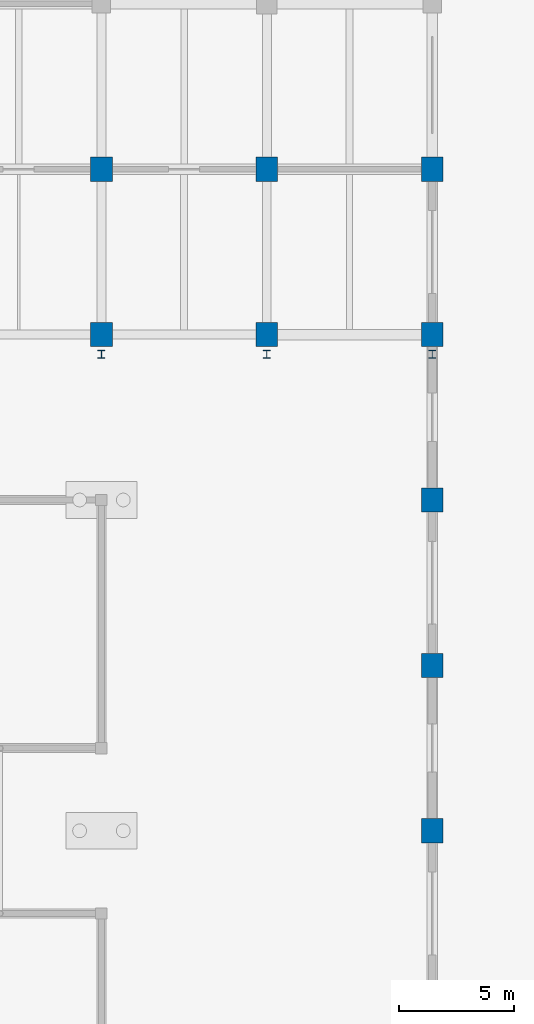
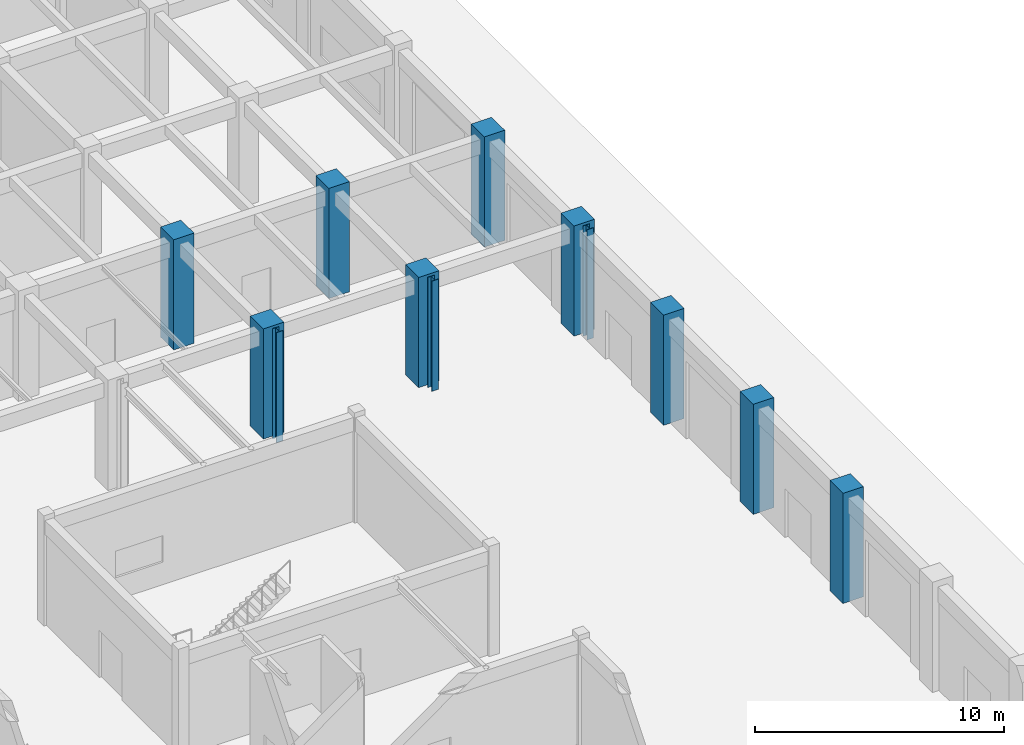
# One storey, part 13 of 160: 12 columns.
"""IFC4 building model written with IfcOpenShell, lengths in metres."""

from ifc_helpers import new_model, si_unit, direction, frame, origin, origin_2d, place, context, subcontext, project, spatial, rectangle, i_section, extrude, material, material_profile, profile_set, type_object, element, save


model = new_model("IFC4")

# Units and contexts
model_context = context("Model", 3, precision=1e-05, world=origin(), true_north=direction((0.0, 1.0)))
body_context = subcontext(model_context, "Body", "Model", "MODEL_VIEW")
ifc_project = project(units=[si_unit("LENGTHUNIT", "METRE"), si_unit("AREAUNIT", "SQUARE_METRE"), si_unit("VOLUMEUNIT", "CUBIC_METRE"), si_unit("PLANEANGLEUNIT", "RADIAN"), si_unit("MASSUNIT", "GRAM", prefix="KILO")], contexts=[model_context])

# Site, building, storey
site_placement = place(None, origin())
site = spatial("IfcSite", under=ifc_project, at=site_placement, CompositionType="ELEMENT")
building_placement = place(site_placement, origin())
building = spatial("IfcBuilding", under=site, at=building_placement, Name="Thalmaran Polytechnic", CompositionType="ELEMENT")
storey_placement = place(building_placement, origin())
storey = spatial("IfcBuildingStorey", under=building, at=storey_placement, Name="L00", CompositionType="ELEMENT", Elevation=0.0)

# Columns
ifc_material_1 = material(Name="Steel S355", Category="steel")
ifc_material_profile_1 = material_profile(ifc_material_1, i_section(OverallWidth=0.300048828125, OverallDepth=0.340087890625, WebThickness=0.011962890625, FlangeThickness=0.021484375, at=origin_2d()), Name="HEB 340")
ifc_profile_set_1 = profile_set([ifc_material_profile_1], Name="Steel S355")
column_type_1 = type_object("IfcColumnType", Name="COL-SC1", PredefinedType="COLUMN", material=ifc_profile_set_1)
for number, where, z_axis, x_axis, name in (
    (1, (158.39990234375, 49.550048828125, 0.0), (0.0, 0.0, 1.0), (1.0, 0.0, 0.0), "Workshop Crane Runway Column L00 (22,7)"),
    (2, (165.60009765625, 49.550048828125, 0.0), (0.0, 0.0, 1.0), (1.0, 0.0, 0.0), "Workshop Crane Runway Column L00 (23,7)"),
    (3, (172.800048828125, 49.550048828125, 0.0), (0.0, 0.0, 1.0), (1.0, 0.0, 0.0), "Workshop Crane Runway Column L00 (24,7)"),
):
    element("IfcColumn", number, at=place(storey_placement, frame(where, z_axis=z_axis, x_axis=x_axis)), inside=storey, type_object=column_type_1, Name=name, PredefinedType="COLUMN", context=body_context, shape_type="SweptSolid", body=[
        extrude(i_section(OverallWidth=0.300048828125, OverallDepth=0.340087890625, WebThickness=0.011962890625, FlangeThickness=0.021484375, at=origin_2d()), origin(), (0.0, 0.0, 1.0), 5.39990234375),
    ])
ifc_material_2 = material(Name="Concrete C50/60", Category="concrete")
ifc_material_profile_2 = material_profile(ifc_material_2, rectangle(XDim=0.949951171875, YDim=1.050048828125, at=origin_2d()), Name="RC 950x1050")
ifc_profile_set_2 = profile_set([ifc_material_profile_2], Name="Concrete C50/60")
column_type_2 = type_object("IfcColumnType", Name="COL-WP2", PredefinedType="COLUMN", material=ifc_profile_set_2)
for number, where, z_axis, x_axis, name in (
    (4, (158.39990234375, 50.39990234375, 0.0), (0.0, 0.0, 1.0), (1.0, 0.0, 0.0), "Column WP2 L00 (22,7)"),
    (5, (158.39990234375, 57.60009765625, 0.0), (0.0, 0.0, 1.0), (1.0, 0.0, 0.0), "Column WP2 L00 (22,8)"),
    (6, (165.60009765625, 50.39990234375, 0.0), (0.0, 0.0, 1.0), (1.0, 0.0, 0.0), "Column WP2 L00 (23,7)"),
    (7, (165.60009765625, 57.60009765625, 0.0), (0.0, 0.0, 1.0), (1.0, 0.0, 0.0), "Column WP2 L00 (23,8)"),
    (8, (172.800048828125, 28.800048828125, 0.0), (0.0, 0.0, 1.0), (1.0, 0.0, 0.0), "Column WP2 L00 (24,4)"),
    (9, (172.800048828125, 36.0, 0.0), (0.0, 0.0, 1.0), (1.0, 0.0, 0.0), "Column WP2 L00 (24,5)"),
    (10, (172.800048828125, 43.199951171875, 0.0), (0.0, 0.0, 1.0), (1.0, 0.0, 0.0), "Column WP2 L00 (24,6)"),
    (11, (172.800048828125, 50.39990234375, 0.0), (0.0, 0.0, 1.0), (1.0, 0.0, 0.0), "Column WP2 L00 (24,7)"),
    (12, (172.800048828125, 57.60009765625, 0.0), (0.0, 0.0, 1.0), (1.0, 0.0, 0.0), "Column WP2 L00 (24,8)"),
):
    element("IfcColumn", number, at=place(storey_placement, frame(where, z_axis=z_axis, x_axis=x_axis)), inside=storey, type_object=column_type_2, Name=name, PredefinedType="COLUMN", context=body_context, shape_type="SweptSolid", body=[
        extrude(rectangle(XDim=0.949951171875, YDim=1.050048828125, at=origin_2d()), origin(), (0.0, 0.0, 1.0), 5.39990234375),
    ])

save(model, "model.ifc")
